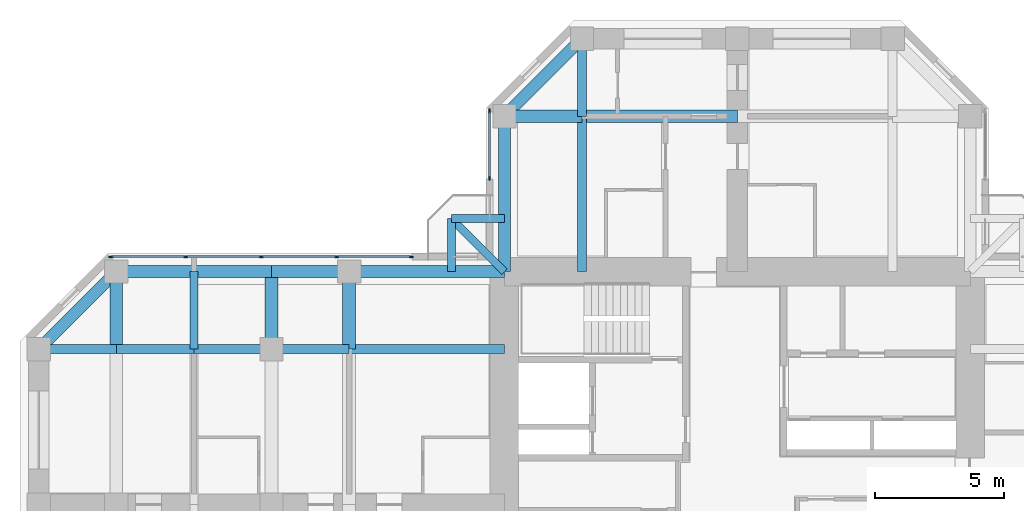
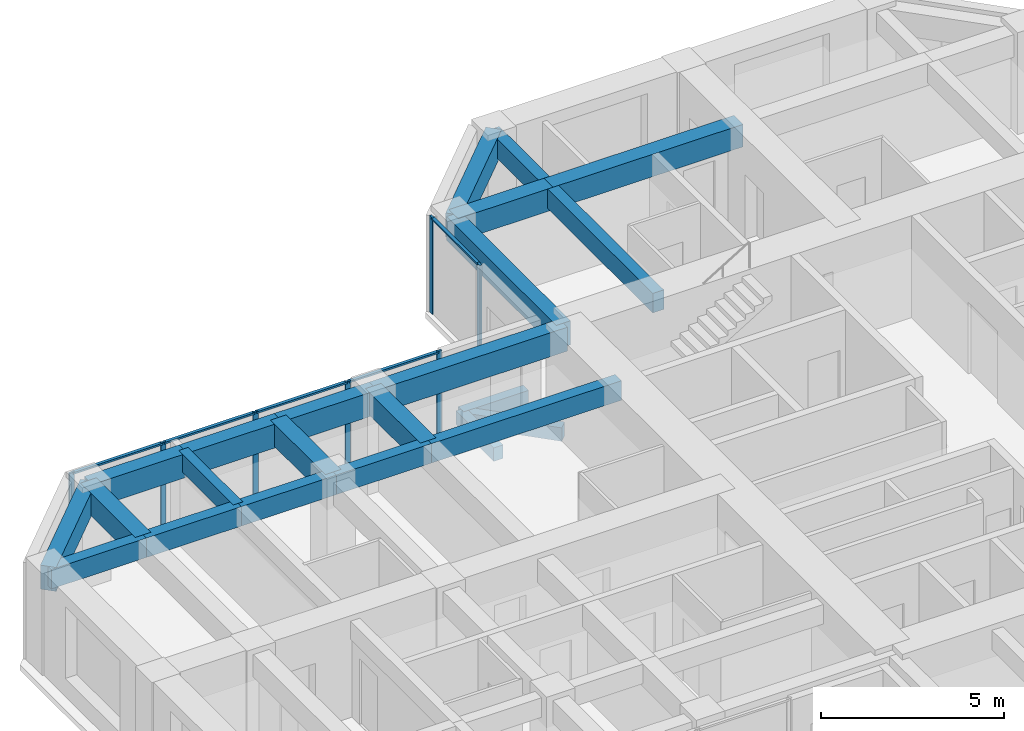
# One storey, part 5 of 14: 23 beams, 12 members, 2 elements without a shape of their own.
"""IFC4 building model written with IfcOpenShell, lengths in metres."""

from ifc_helpers import new_model, si_unit, direction, frame, origin, origin_2d, place, context, subcontext, project, spatial, rectangle, extrude, material, material_profile, profile_set, type_object, element, aggregate, save


model = new_model("IFC4")

# Units and contexts
model_context = context("Model", 3, precision=1e-05, world=origin(), true_north=direction((0.0, 1.0)))
body_context = subcontext(model_context, "Body", "Model", "MODEL_VIEW")
ifc_project = project(units=[si_unit("LENGTHUNIT", "METRE"), si_unit("AREAUNIT", "SQUARE_METRE"), si_unit("VOLUMEUNIT", "CUBIC_METRE"), si_unit("PLANEANGLEUNIT", "RADIAN"), si_unit("MASSUNIT", "GRAM", prefix="KILO")], contexts=[model_context])

# Site, building, storey
site_placement = place(None, origin())
site = spatial("IfcSite", under=ifc_project, at=site_placement, CompositionType="ELEMENT")
building_placement = place(site_placement, origin())
building = spatial("IfcBuilding", under=site, at=building_placement, Name="Torre Cruceta", CompositionType="ELEMENT")
storey_placement = place(building_placement, frame((0.0, 0.0, 172.89990234375)))
storey = spatial("IfcBuildingStorey", under=building, at=storey_placement, Name="L42", CompositionType="ELEMENT", Elevation=172.89990234375)

# Beams
ifc_material_1 = material(Name="Concrete G60 (fck 60 MPa)", Category="concrete")
ifc_material_profile_1 = material_profile(ifc_material_1, rectangle(XDim=0.300048828125, YDim=0.449951171875, at=origin_2d()), Name="RC 300X450")
ifc_profile_set_1 = profile_set([ifc_material_profile_1], Name="Concrete G60 (fck 60 MPa)")
beam_type_1 = type_object("IfcBeamType", Name="BALCONY CANTILEVER BEAM RC 300X450", PredefinedType="BEAM", material=ifc_profile_set_1)
beam_1_placement = place(storey_placement, frame((-9.0, 9.0, -0.40478515625), z_axis=(-0.707106781187, 0.707106781187, 0.0), x_axis=(-0.707106781187, -0.707106781187, 0.0)))
element("IfcBeam", 1, at=beam_1_placement, inside=storey, type_object=beam_type_1, Name="BB1 balcony beam L42 N", PredefinedType="BEAM", context=body_context, shape_type="SweptSolid", body=[
    extrude(rectangle(XDim=0.300048828125, YDim=0.449951171875, at=origin_2d()), origin(), (0.0, 0.0, 1.0), 2.89990234375),
])
for number, where, z_axis, x_axis, name in (
    (2, (-11.050537109375, 9.0, -0.40478515625), (0.0, 1.0, 0.0), (-1.0, 0.0, 0.0), "BB1 balcony edge beam L42 N-X"),
    (3, (-9.0, 11.050537109375, -0.40478515625), (-1.0, 0.0, 0.0), (0.0, -1.0, 0.0), "BB1 balcony edge beam L42 N-Y"),
):
    element("IfcBeam", number, at=place(storey_placement, frame(where, z_axis=z_axis, x_axis=x_axis)), inside=storey, type_object=beam_type_1, Name=name, PredefinedType="BEAM", context=body_context, shape_type="SweptSolid", body=[
        extrude(rectangle(XDim=0.300048828125, YDim=0.449951171875, at=origin_2d()), origin(), (0.0, 0.0, 1.0), 2.050537109375),
    ])
ifc_material_2 = material(Name="Concrete G60 (fck 60 MPa)", Category="concrete")
ifc_material_profile_2 = material_profile(ifc_material_2, rectangle(XDim=0.35009765625, YDim=0.64990234375, at=origin_2d()), Name="RC 350X650")
ifc_profile_set_2 = profile_set([ifc_material_profile_2], Name="Concrete G60 (fck 60 MPa)")
beam_type_2 = type_object("IfcBeamType", Name="COLUMN LINE BEAM RC 350X650", PredefinedType="BEAM", material=ifc_profile_set_2)
beam_2_placement = place(storey_placement, frame((-6.0, 9.0, 2.89501953125), z_axis=(0.0, 1.0, 0.0), x_axis=(-1.0, 0.0, 0.0)))
element("IfcBeam", 4, at=beam_2_placement, inside=storey, type_object=beam_type_2, Name="LB7 L42 N col+ 1", PredefinedType="BEAM", context=body_context, shape_type="SweptSolid", body=[
    extrude(rectangle(XDim=0.35009765625, YDim=0.64990234375, at=origin_2d()), origin(), (0.0, 0.0, 1.0), 6.0),
])
beam_3_placement = place(storey_placement, frame((-6.0, 15.0, 2.89501953125), z_axis=(0.0, 1.0, 0.0), x_axis=(-1.0, 0.0, 0.0)))
element("IfcBeam", 5, at=beam_3_placement, inside=storey, type_object=beam_type_2, Name="LB7 L42 N col+ 2", PredefinedType="BEAM", context=body_context, shape_type="SweptSolid", body=[
    extrude(rectangle(XDim=0.35009765625, YDim=0.64990234375, at=origin_2d()), origin(), (0.0, 0.0, 1.0), 3.0),
])
beam_4_placement = place(storey_placement, frame((-9.0, 6.0, 2.89501953125), z_axis=(-1.0, 0.0, 0.0), x_axis=(0.0, -1.0, 0.0)))
element("IfcBeam", 6, at=beam_4_placement, inside=storey, type_object=beam_type_2, Name="LB7 L42 W col- 1", PredefinedType="BEAM", context=body_context, shape_type="SweptSolid", body=[
    extrude(rectangle(XDim=0.35009765625, YDim=0.64990234375, at=origin_2d()), origin(), (0.0, 0.0, 1.0), 6.0),
])
for number, where, z_axis, x_axis, name in (
    (7, (-15.0, 6.0, 2.89501953125), (-1.0, 0.0, 0.0), (0.0, -1.0, 0.0), "LB7 L42 W col- 2"),
    (8, (-18.0, 6.0, 2.89501953125), (-1.0, 0.0, 0.0), (0.0, -1.0, 0.0), "LB7 L42 W col- 3"),
    (9, (-21.0, 6.0, 2.89501953125), (-1.0, 0.0, 0.0), (0.0, -1.0, 0.0), "LB7 L42 W col- 4"),
    (10, (-24.0, 6.0, 2.89501953125), (-1.0, 0.0, 0.0), (0.0, -1.0, 0.0), "LB7 L42 W col- 5"),
):
    element("IfcBeam", number, at=place(storey_placement, frame(where, z_axis=z_axis, x_axis=x_axis)), inside=storey, type_object=beam_type_2, Name=name, PredefinedType="BEAM", context=body_context, shape_type="SweptSolid", body=[
        extrude(rectangle(XDim=0.35009765625, YDim=0.64990234375, at=origin_2d()), origin(), (0.0, 0.0, 1.0), 3.0),
    ])
ifc_material_3 = material(Name="Concrete G60 (fck 60 MPa)", Category="concrete")
ifc_material_profile_3 = material_profile(ifc_material_3, rectangle(XDim=0.5, YDim=0.75, at=origin_2d()), Name="RC 500X750")
ifc_profile_set_3 = profile_set([ifc_material_profile_3], Name="Concrete G60 (fck 60 MPa)")
beam_type_3 = type_object("IfcBeamType", Name="CROSS BEAM RC 500X750", PredefinedType="BEAM", material=ifc_profile_set_3)
beam_5_placement = place(storey_placement, frame((0.0, 15.0, 2.84521484375), z_axis=(-1.0, 0.0, 0.0), x_axis=(0.0, -1.0, 0.0)))
element("IfcBeam", 11, at=beam_5_placement, inside=storey, type_object=beam_type_3, Name="GB6 L42 N cross15 3", PredefinedType="BEAM", context=body_context, shape_type="SweptSolid", body=[
    extrude(rectangle(XDim=0.5, YDim=0.75, at=origin_2d()), origin(), (0.0, 0.0, 1.0), 6.0),
])
for number, where, z_axis, x_axis, name in (
    (12, (-6.0, 15.0, 2.84521484375), (-1.0, 0.0, 0.0), (0.0, -1.0, 0.0), "GB6 L42 N cross15 4"),
    (13, (-15.0, 9.0, 2.84521484375), (0.0, -1.0, 0.0), (1.0, 0.0, 0.0), "GB6 L42 W cross15 1"),
    (14, (-18.0, 9.0, 2.84521484375), (0.0, -1.0, 0.0), (1.0, 0.0, 0.0), "GB6 L42 W cross18 1"),
    (15, (-24.0, 9.0, 2.84521484375), (0.0, -1.0, 0.0), (1.0, 0.0, 0.0), "GB6 L42 W cross24 1"),
):
    element("IfcBeam", number, at=place(storey_placement, frame(where, z_axis=z_axis, x_axis=x_axis)), inside=storey, type_object=beam_type_3, Name=name, PredefinedType="BEAM", context=body_context, shape_type="SweptSolid", body=[
        extrude(rectangle(XDim=0.5, YDim=0.75, at=origin_2d()), origin(), (0.0, 0.0, 1.0), 3.0),
    ])

# Curtain wall, members
ifc_material_4 = material(Name="Aluminium unitised curtain wall", Category="aluminium")
curtain_wall_type = type_object("IfcCurtainWallType", Name="CURTAIN WALL CW-C CO-LIVING", PredefinedType="USERDEFINED", material=ifc_material_4)
curtain_wall_1_placement = place(storey_placement, origin())
curtain_wall_1 = element("IfcCurtainWall", 16, at=curtain_wall_1_placement, inside=storey, type_object=curtain_wall_type, Name="CW-C L42 N side 09", ObjectType="UNITISED", PredefinedType="USERDEFINED")
ifc_material_5 = material(Name="Aluminium mullion", Category="aluminium")
ifc_material_profile_4 = material_profile(ifc_material_5, rectangle(XDim=0.06005859375, YDim=0.159912109375, at=origin_2d()), Name="AL 60X160")
ifc_profile_set_4 = profile_set([ifc_material_profile_4], Name="Aluminium mullion")
member_type_1 = type_object("IfcMemberType", Name="CW-C MULLION 60X160", PredefinedType="MULLION", material=ifc_profile_set_4)
member_1_placement = place(storey_placement, frame((-9.570068359375, 15.2060546875, 0.0), z_axis=(0.0, 0.0, 1.0), x_axis=(1.0, 0.0, 0.0)))
member_1 = element("IfcMember", 17, at=member_1_placement, type_object=member_type_1, Name="CW-C mullion 1", PredefinedType="MULLION", context=body_context, shape_type="SweptSolid", body=[
    extrude(rectangle(XDim=0.06005859375, YDim=0.159912109375, at=origin_2d()), origin(), (0.0, 0.0, 1.0), 3.22021484375),
])
member_2_placement = place(storey_placement, frame((-9.570068359375, 12.60009765625, 0.0), z_axis=(0.0, 0.0, 1.0), x_axis=(1.0, 0.0, 0.0)))
member_2 = element("IfcMember", 18, at=member_2_placement, type_object=member_type_1, Name="CW-C mullion 2", PredefinedType="MULLION", context=body_context, shape_type="SweptSolid", body=[
    extrude(rectangle(XDim=0.06005859375, YDim=0.159912109375, at=origin_2d()), origin(), (0.0, 0.0, 1.0), 3.22021484375),
])

curtain_wall_2_placement = place(storey_placement, origin())
curtain_wall_2 = element("IfcCurtainWall", 19, at=curtain_wall_2_placement, inside=storey, type_object=curtain_wall_type, Name="CW-C L42 W side 10", ObjectType="UNITISED", PredefinedType="USERDEFINED")
member_3_placement = place(storey_placement, frame((-12.60009765625, 9.570068359375, 0.0), z_axis=(0.0, 0.0, 1.0), x_axis=(0.0, -1.0, 0.0)))
member_3 = element("IfcMember", 20, at=member_3_placement, type_object=member_type_1, Name="CW-C mullion 1", PredefinedType="MULLION", context=body_context, shape_type="SweptSolid", body=[
    extrude(rectangle(XDim=0.06005859375, YDim=0.159912109375, at=origin_2d()), origin(), (0.0, 0.0, 1.0), 3.22021484375),
])
member_4_placement = place(storey_placement, frame((-15.486572265625, 9.570068359375, 0.0), z_axis=(0.0, 0.0, 1.0), x_axis=(0.0, -1.0, 0.0)))
member_4 = element("IfcMember", 21, at=member_4_placement, type_object=member_type_1, Name="CW-C mullion 2", PredefinedType="MULLION", context=body_context, shape_type="SweptSolid", body=[
    extrude(rectangle(XDim=0.06005859375, YDim=0.159912109375, at=origin_2d()), origin(), (0.0, 0.0, 1.0), 3.22021484375),
])
member_5_placement = place(storey_placement, frame((-18.403076171875, 9.570068359375, 0.0), z_axis=(0.0, 0.0, 1.0), x_axis=(0.0, -1.0, 0.0)))
member_5 = element("IfcMember", 22, at=member_5_placement, type_object=member_type_1, Name="CW-C mullion 3", PredefinedType="MULLION", context=body_context, shape_type="SweptSolid", body=[
    extrude(rectangle(XDim=0.06005859375, YDim=0.159912109375, at=origin_2d()), origin(), (0.0, 0.0, 1.0), 3.22021484375),
])
member_6_placement = place(storey_placement, frame((-21.319580078125, 9.570068359375, 0.0), z_axis=(0.0, 0.0, 1.0), x_axis=(0.0, -1.0, 0.0)))
member_6 = element("IfcMember", 23, at=member_6_placement, type_object=member_type_1, Name="CW-C mullion 4", PredefinedType="MULLION", context=body_context, shape_type="SweptSolid", body=[
    extrude(rectangle(XDim=0.06005859375, YDim=0.159912109375, at=origin_2d()), origin(), (0.0, 0.0, 1.0), 3.22021484375),
])
member_7_placement = place(storey_placement, frame((-24.2060546875, 9.570068359375, 0.0), z_axis=(0.0, 0.0, 1.0), x_axis=(0.0, -1.0, 0.0)))
member_7 = element("IfcMember", 24, at=member_7_placement, type_object=member_type_1, Name="CW-C mullion 5", PredefinedType="MULLION", context=body_context, shape_type="SweptSolid", body=[
    extrude(rectangle(XDim=0.06005859375, YDim=0.159912109375, at=origin_2d()), origin(), (0.0, 0.0, 1.0), 3.22021484375),
])

# Member
ifc_material_6 = material(Name="Aluminium transom", Category="aluminium")
ifc_material_profile_5 = material_profile(ifc_material_6, rectangle(XDim=0.10009765625, YDim=0.06005859375, at=origin_2d()), Name="AL 100X60")
ifc_profile_set_5 = profile_set([ifc_material_profile_5], Name="Aluminium transom")
member_type_2 = type_object("IfcMemberType", Name="CW-C TRANSOM 60X100", PredefinedType="USERDEFINED", material=ifc_profile_set_5)
member_8_placement = place(storey_placement, frame((-9.570068359375, 15.176025390625, 3.190185546875), z_axis=(0.0, -1.0, 0.0), x_axis=(1.0, 0.0, 0.0)))
member_8 = element("IfcMember", 25, at=member_8_placement, type_object=member_type_2, Name="CW-C transom 1", ObjectType="TRANSOM", PredefinedType="USERDEFINED", context=body_context, shape_type="SweptSolid", body=[
    extrude(rectangle(XDim=0.10009765625, YDim=0.06005859375, at=origin_2d()), origin(), (0.0, 0.0, 1.0), 2.546142578125),
])

aggregate(curtain_wall_1, [member_1, member_2, member_8])

member_9_placement = place(storey_placement, frame((-12.6298828125, 9.570068359375, 3.190185546875), z_axis=(-1.0, 0.0, 0.0), x_axis=(0.0, -1.0, 0.0)))
member_9 = element("IfcMember", 26, at=member_9_placement, type_object=member_type_2, Name="CW-C transom 1", ObjectType="TRANSOM", PredefinedType="USERDEFINED", context=body_context, shape_type="SweptSolid", body=[
    extrude(rectangle(XDim=0.10009765625, YDim=0.06005859375, at=origin_2d()), origin(), (0.0, 0.0, 1.0), 2.82666015625),
])

member_10_placement = place(storey_placement, frame((-15.5166015625, 9.570068359375, 3.190185546875), z_axis=(-1.0, 0.0, 0.0), x_axis=(0.0, -1.0, 0.0)))
member_10 = element("IfcMember", 27, at=member_10_placement, type_object=member_type_2, Name="CW-C transom 2", ObjectType="TRANSOM", PredefinedType="USERDEFINED", context=body_context, shape_type="SweptSolid", body=[
    extrude(rectangle(XDim=0.10009765625, YDim=0.06005859375, at=origin_2d()), origin(), (0.0, 0.0, 1.0), 2.8564453125),
])

member_11_placement = place(storey_placement, frame((-18.43310546875, 9.570068359375, 3.190185546875), z_axis=(-1.0, 0.0, 0.0), x_axis=(0.0, -1.0, 0.0)))
member_11 = element("IfcMember", 28, at=member_11_placement, type_object=member_type_2, Name="CW-C transom 3", ObjectType="TRANSOM", PredefinedType="USERDEFINED", context=body_context, shape_type="SweptSolid", body=[
    extrude(rectangle(XDim=0.10009765625, YDim=0.06005859375, at=origin_2d()), origin(), (0.0, 0.0, 1.0), 2.8564453125),
])

member_12_placement = place(storey_placement, frame((-21.349609375, 9.570068359375, 3.190185546875), z_axis=(-1.0, 0.0, 0.0), x_axis=(0.0, -1.0, 0.0)))
member_12 = element("IfcMember", 29, at=member_12_placement, type_object=member_type_2, Name="CW-C transom 4", ObjectType="TRANSOM", PredefinedType="USERDEFINED", context=body_context, shape_type="SweptSolid", body=[
    extrude(rectangle(XDim=0.10009765625, YDim=0.06005859375, at=origin_2d()), origin(), (0.0, 0.0, 1.0), 2.826416015625),
])

aggregate(curtain_wall_2, [member_3, member_4, member_5, member_6, member_7, member_9, member_10, member_11, member_12])

# Beams
ifc_material_7 = material(Name="Concrete G60 (fck 60 MPa)", Category="concrete")
ifc_material_profile_6 = material_profile(ifc_material_7, rectangle(XDim=0.300048828125, YDim=0.60009765625, at=origin_2d()), Name="RC 300X600")
ifc_profile_set_6 = profile_set([ifc_material_profile_6], Name="Concrete G60 (fck 60 MPa)")
beam_type_4 = type_object("IfcBeamType", Name="SECONDARY BEAM RC 300X600", PredefinedType="JOIST", material=ifc_profile_set_6)
beam_6_placement = place(storey_placement, frame((-21.0, 9.0, 2.920166015625), z_axis=(0.0, -1.0, 0.0), x_axis=(1.0, 0.0, 0.0)))
element("IfcBeam", 30, at=beam_6_placement, inside=storey, type_object=beam_type_4, Name="JB6 L42 W sec21 1", PredefinedType="JOIST", context=body_context, shape_type="SweptSolid", body=[
    extrude(rectangle(XDim=0.300048828125, YDim=0.60009765625, at=origin_2d()), origin(), (0.0, 0.0, 1.0), 3.0),
])
ifc_material_8 = material(Name="Concrete G60 (fck 60 MPa)", Category="concrete")
ifc_material_profile_7 = material_profile(ifc_material_8, rectangle(XDim=0.449951171875, YDim=0.800048828125, at=origin_2d()), Name="RC 450X800")
ifc_profile_set_7 = profile_set([ifc_material_profile_7], Name="Concrete G60 (fck 60 MPa)")
beam_type_5 = type_object("IfcBeamType", Name="SPANDREL BEAM RC 450X800", PredefinedType="SPANDREL", material=ifc_profile_set_7)
beam_7_placement = place(storey_placement, frame((-9.0, 9.0, 2.820068359375), z_axis=(0.0, 1.0, 0.0), x_axis=(-1.0, 0.0, 0.0)))
element("IfcBeam", 31, at=beam_7_placement, inside=storey, type_object=beam_type_5, Name="SB6 L42 N side+ 1", PredefinedType="SPANDREL", context=body_context, shape_type="SweptSolid", body=[
    extrude(rectangle(XDim=0.449951171875, YDim=0.800048828125, at=origin_2d()), origin(), (0.0, 0.0, 1.0), 6.0),
])
beam_8_placement = place(storey_placement, frame((-9.0, 15.0, 2.820068359375), z_axis=(0.707106781187, 0.707106781187, 0.0), x_axis=(-0.707106781187, 0.707106781187, 0.0)))
element("IfcBeam", 32, at=beam_8_placement, inside=storey, type_object=beam_type_5, Name="SB6 L42 N side+ 2", PredefinedType="SPANDREL", context=body_context, shape_type="SweptSolid", body=[
    extrude(rectangle(XDim=0.449951171875, YDim=0.800048828125, at=origin_2d()), origin(), (0.0, 0.0, 1.0), 4.24267578125),
])
beam_9_placement = place(storey_placement, frame((-9.0, 9.0, 2.820068359375), z_axis=(-1.0, 0.0, 0.0), x_axis=(0.0, -1.0, 0.0)))
element("IfcBeam", 33, at=beam_9_placement, inside=storey, type_object=beam_type_5, Name="SB6 L42 W side- 1", PredefinedType="SPANDREL", context=body_context, shape_type="SweptSolid", body=[
    extrude(rectangle(XDim=0.449951171875, YDim=0.800048828125, at=origin_2d()), origin(), (0.0, 0.0, 1.0), 6.0),
])
for number, where, z_axis, x_axis, name in (
    (34, (-15.0, 9.0, 2.820068359375), (-1.0, 0.0, 0.0), (0.0, -1.0, 0.0), "SB6 L42 W side- 2"),
    (35, (-18.0, 9.0, 2.820068359375), (-1.0, 0.0, 0.0), (0.0, -1.0, 0.0), "SB6 L42 W side- 3"),
    (36, (-21.0, 9.0, 2.820068359375), (-1.0, 0.0, 0.0), (0.0, -1.0, 0.0), "SB6 L42 W side- 4"),
):
    element("IfcBeam", number, at=place(storey_placement, frame(where, z_axis=z_axis, x_axis=x_axis)), inside=storey, type_object=beam_type_5, Name=name, PredefinedType="SPANDREL", context=body_context, shape_type="SweptSolid", body=[
        extrude(rectangle(XDim=0.449951171875, YDim=0.800048828125, at=origin_2d()), origin(), (0.0, 0.0, 1.0), 3.0),
    ])
beam_10_placement = place(storey_placement, frame((-24.0, 9.0, 2.820068359375), z_axis=(-0.707106781187, -0.707106781187, 0.0), x_axis=(0.707106781187, -0.707106781187, 0.0)))
element("IfcBeam", 37, at=beam_10_placement, inside=storey, type_object=beam_type_5, Name="SB6 L42 W side- 5", PredefinedType="SPANDREL", context=body_context, shape_type="SweptSolid", body=[
    extrude(rectangle(XDim=0.449951171875, YDim=0.800048828125, at=origin_2d()), origin(), (0.0, 0.0, 1.0), 4.24267578125),
])

save(model, "model.ifc")
